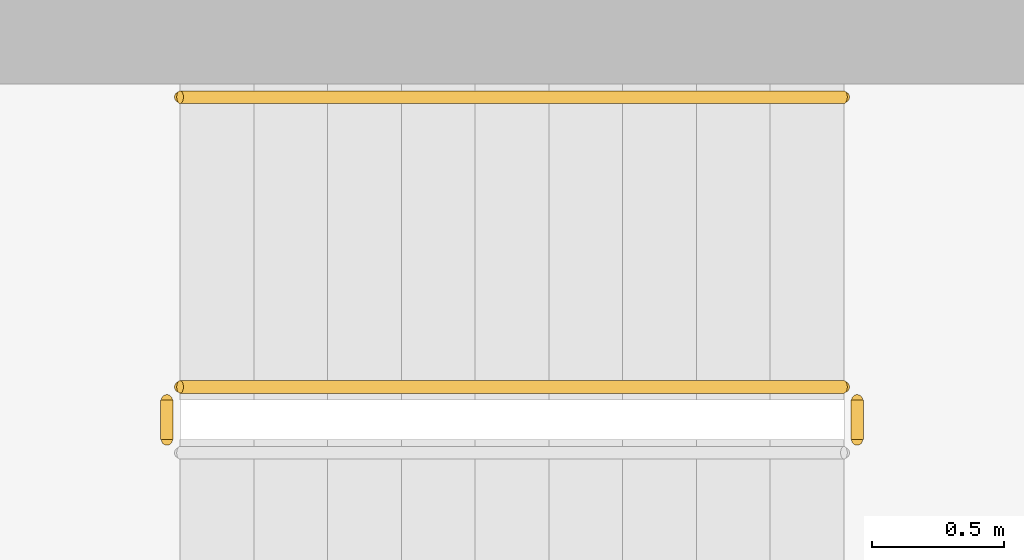
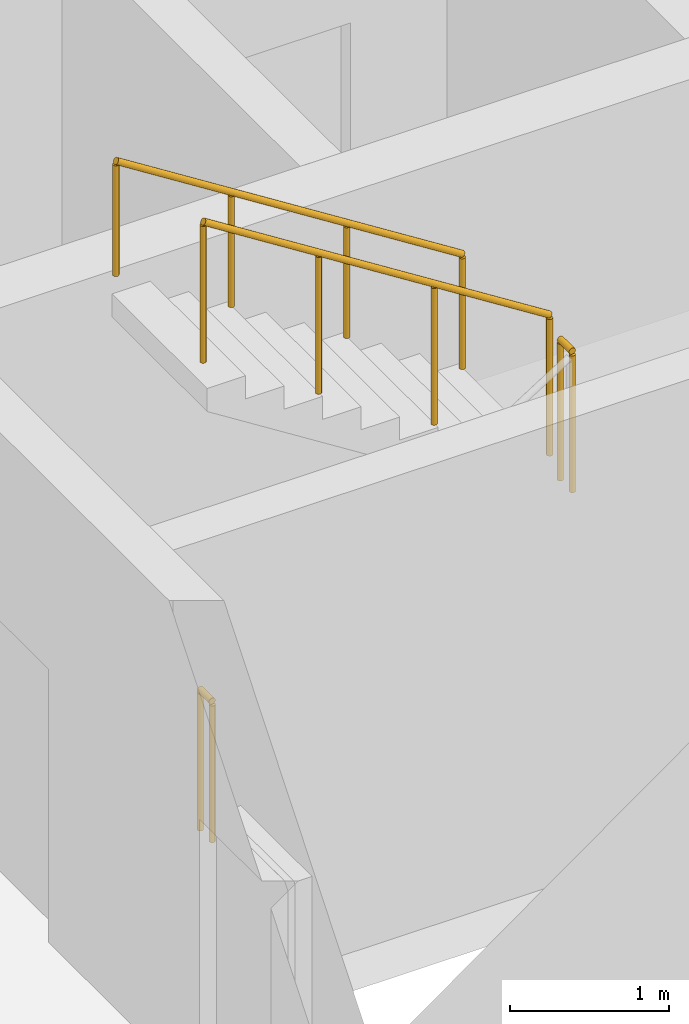
# One storey, part 15 of 17: 4 railings.
"""IFC4 building model written with IfcOpenShell, lengths in metres."""

from ifc_helpers import new_model, si_unit, direction, frame, origin, origin_2d, place, context, subcontext, project, spatial, circle, extrude, material, type_object, element, save


model = new_model("IFC4")

# Units and contexts
model_context = context("Model", 3, precision=1e-05, world=origin(), true_north=direction((0.0, 1.0)))
body_context = subcontext(model_context, "Body", "Model", "MODEL_VIEW")
ifc_project = project(units=[si_unit("LENGTHUNIT", "METRE"), si_unit("AREAUNIT", "SQUARE_METRE"), si_unit("VOLUMEUNIT", "CUBIC_METRE"), si_unit("PLANEANGLEUNIT", "RADIAN"), si_unit("MASSUNIT", "GRAM", prefix="KILO")], contexts=[model_context])

# Site, building, storey
site_placement = place(None, origin())
site = spatial("IfcSite", under=ifc_project, at=site_placement, CompositionType="ELEMENT")
building_placement = place(site_placement, origin())
building = spatial("IfcBuilding", under=site, at=building_placement, Name="Ostrand Prow Hotel Tower", CompositionType="ELEMENT")
storey_placement = place(building_placement, frame((0.0, 0.0, 102.64990234375)))
storey = spatial("IfcBuildingStorey", under=building, at=storey_placement, Name="L24", CompositionType="ELEMENT", Elevation=102.64990234375)

# Railings
ifc_material_1 = material(Name="Painted steel", Category="steel")
railing_type_1 = type_object("IfcRailingType", Name="Stair guard 1100", PredefinedType="GUARDRAIL", material=ifc_material_1)
railing_1_placement = place(storey_placement, frame((59.77001953125, -11.699951171875, 1.775146484375)))
element("IfcRailing", 1, at=railing_1_placement, inside=storey, type_object=railing_type_1, Name="L24 ST2C stair guard 2", PredefinedType="GUARDRAIL", context=body_context, shape_type="SweptSolid", body=[
    extrude(circle(Radius=0.02392578125, at=origin_2d()), frame((0.0, 0.0, 1.076171875), z_axis=(0.0, 1.0, 0.0), x_axis=(-1.0, 0.0, 0.0)), (0.0, 0.0, 1.0), 0.14990234375),
    extrude(circle(Radius=0.02099609375, at=origin_2d()), origin(), (0.0, 0.0, 1.0), 1.052001953125),
    extrude(circle(Radius=0.02099609375, at=origin_2d()), frame((0.0, 0.14990234375, 0.0)), (0.0, 0.0, 1.0), 1.052001953125),
])
railing_2_placement = place(storey_placement, frame((59.719970703125, -11.5, 1.95263671875)))
element("IfcRailing", 2, at=railing_2_placement, inside=storey, type_object=railing_type_1, Name="L24 ST2C stair guard 3", PredefinedType="GUARDRAIL", context=body_context, shape_type="SweptSolid", body=[
    extrude(circle(Radius=0.02392578125, at=origin_2d()), frame((0.0, 0.0, 1.076171875), z_axis=(-0.84460694969, 0.0, 0.535386869969), x_axis=(0.0, -1.0, 0.0)), (0.0, 0.0, 1.0), 2.983642578125),
    extrude(circle(Radius=0.02099609375, at=origin_2d()), origin(), (0.0, 0.0, 1.0), 1.052001953125),
    extrude(circle(Radius=0.02099609375, at=origin_2d()), frame((-0.840087890625, 0.0, 0.532470703125)), (0.0, 0.0, 1.0), 1.052001953125),
    extrude(circle(Radius=0.02099609375, at=origin_2d()), frame((-1.679931640625, 0.0, 1.06494140625)), (0.0, 0.0, 1.0), 1.052001953125),
    extrude(circle(Radius=0.02099609375, at=origin_2d()), frame((-2.52001953125, 0.0, 1.597412109375)), (0.0, 0.0, 1.0), 1.052001953125),
])
railing_3_placement = place(storey_placement, frame((57.14990234375, -11.699951171875, 0.0)))
element("IfcRailing", 3, at=railing_3_placement, inside=storey, type_object=railing_type_1, Name="L24 ST2C stair guard 4", PredefinedType="GUARDRAIL", context=body_context, shape_type="SweptSolid", body=[
    extrude(circle(Radius=0.02392578125, at=origin_2d()), frame((0.0, 0.0, 1.076171875), z_axis=(0.0, 1.0, 0.0), x_axis=(-1.0, 0.0, 0.0)), (0.0, 0.0, 1.0), 0.14990234375),
    extrude(circle(Radius=0.02099609375, at=origin_2d()), origin(), (0.0, 0.0, 1.0), 1.052001953125),
    extrude(circle(Radius=0.02099609375, at=origin_2d()), frame((0.0, 0.14990234375, 0.0)), (0.0, 0.0, 1.0), 1.052001953125),
])
ifc_material_2 = material(Name="Stainless steel", Category="steel")
railing_type_2 = type_object("IfcRailingType", Name="Stair handrail 900", PredefinedType="HANDRAIL", material=ifc_material_2)
railing_4_placement = place(storey_placement, frame((59.719970703125, -10.39990234375, 1.95263671875)))
element("IfcRailing", 4, at=railing_4_placement, inside=storey, type_object=railing_type_2, Name="L24 ST2C stair handrail 2", PredefinedType="HANDRAIL", context=body_context, shape_type="SweptSolid", body=[
    extrude(circle(Radius=0.02392578125, at=origin_2d()), frame((0.0, 0.0, 0.8759765625), z_axis=(-0.84460694969, 0.0, 0.535386869969), x_axis=(0.0, -1.0, 0.0)), (0.0, 0.0, 1.0), 2.983642578125),
    extrude(circle(Radius=0.02099609375, at=origin_2d()), origin(), (0.0, 0.0, 1.0), 0.851806640625),
    extrude(circle(Radius=0.02099609375, at=origin_2d()), frame((-0.840087890625, 0.0, 0.532470703125)), (0.0, 0.0, 1.0), 0.851806640625),
    extrude(circle(Radius=0.02099609375, at=origin_2d()), frame((-1.679931640625, 0.0, 1.06494140625)), (0.0, 0.0, 1.0), 0.851806640625),
    extrude(circle(Radius=0.02099609375, at=origin_2d()), frame((-2.52001953125, 0.0, 1.597412109375)), (0.0, 0.0, 1.0), 0.851806640625),
])

save(model, "model.ifc")
